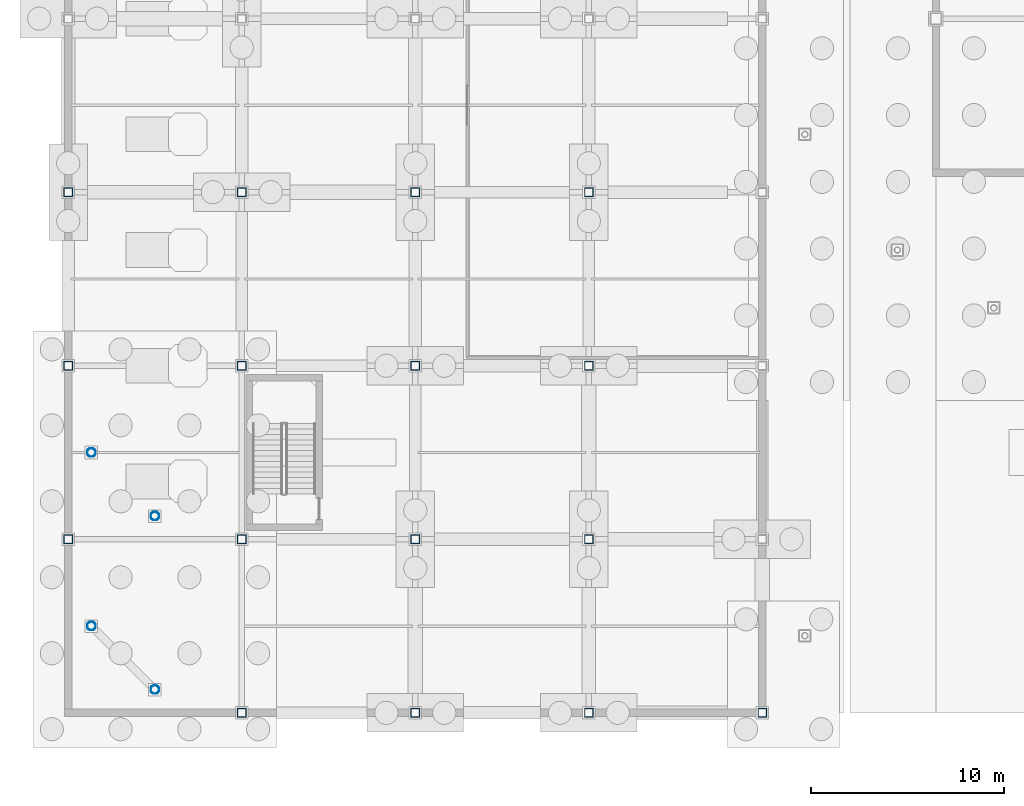
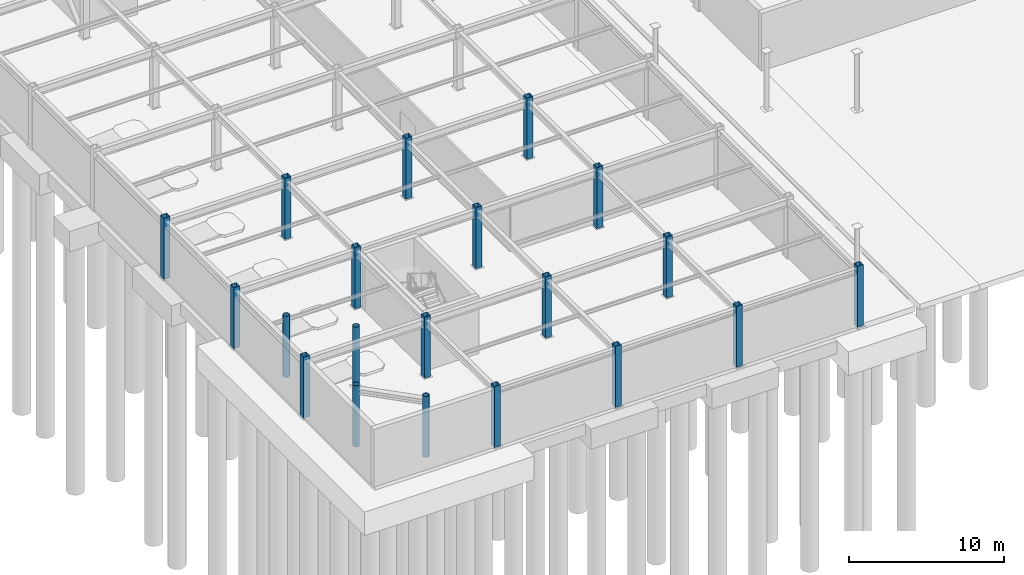
# One storey, part 12 of 74: 20 columns.
"""IFC4 building model written with IfcOpenShell, lengths in metres."""

import ifcopenshell
import ifcopenshell.guid

model = None  # the IFC model being written
_history = None  # IfcOwnerHistory: only IFC2X3 demands one
_inside = {}  # id of a spatial element -> (the spatial element, [elements in it])
_under = {}  # id of a project, library or spatial element -> (it, [spatial elements below it])
_declared = {}  # id of a project -> (the project, [libraries it declares])
_typed = {}  # id of a type object -> (the type object, [elements of that type])
_made_of = {}  # id of a material, layer set ... -> (it, [elements and type objects made of it])


def new_model(schema):
    """Start an empty IFC model of exactly this schema.

    Asked for "IFC4X3", IfcOpenShell would pick the latest addendum, in which some entities
    have other attributes; the version numbers below select the first issue.
    IFC2X3 requires an IfcOwnerHistory on every rooted entity: one is made here for all.
    """
    global model, _history
    if schema == "IFC4X3":
        model = ifcopenshell.file(schema_version=(4, 3, 0, 0))
    else:
        model = ifcopenshell.file(schema=schema)
    _inside.clear()
    _under.clear()
    _declared.clear()
    _typed.clear()
    _made_of.clear()
    _history = None
    if model.schema == "IFC2X3":
        org = make("IfcOrganization", Name="unknown")
        user = make(
            "IfcPersonAndOrganization",
            ThePerson=make("IfcPerson", FamilyName="unknown"),
            TheOrganization=org,
        )
        app = make(
            "IfcApplication",
            ApplicationDeveloper=org,
            Version="unknown",
            ApplicationFullName="unknown",
            ApplicationIdentifier="unknown",
        )
        _history = make(
            "IfcOwnerHistory",
            OwningUser=user,
            OwningApplication=app,
            ChangeAction="ADDED",
            CreationDate=0,
        )
    return model


def make(cls, **values):
    """One entity of the class cls with the attributes given. An attribute that is None is left unset."""
    return model.create_entity(
        cls, **{name: value for name, value in values.items() if value is not None}
    )


def rooted(cls, **values):
    """An entity with a GlobalId (a new one), such as an element, a storey or a relation."""
    return make(cls, GlobalId=ifcopenshell.guid.new(), OwnerHistory=_history, **values)


def si_unit(unit_type, name, prefix=None):
    """IfcSIUnit, for example si_unit("LENGTHUNIT", "METRE", prefix="MILLI")."""
    return make("IfcSIUnit", UnitType=unit_type, Prefix=prefix, Name=name)


def assignment(units):
    """IfcUnitAssignment: the units of a project."""
    return None if units is None else make("IfcUnitAssignment", Units=units)


def point(xyz):
    """IfcCartesianPoint."""
    return None if xyz is None else make("IfcCartesianPoint", Coordinates=xyz)


def direction(xyz):
    """IfcDirection."""
    return None if xyz is None else make("IfcDirection", DirectionRatios=xyz)


def frame(location, z_axis=None, x_axis=None):
    """IfcAxis2Placement3D, a coordinate frame: its origin and axes. An axis left out is left unset."""
    return make(
        "IfcAxis2Placement3D",
        Location=point(location),
        Axis=direction(z_axis),
        RefDirection=direction(x_axis),
    )


def frame_2d(location, x_axis=None):
    """IfcAxis2Placement2D, a coordinate frame in the plane: its origin and x axis."""
    return make(
        "IfcAxis2Placement2D", Location=point(location), RefDirection=direction(x_axis)
    )


def origin():
    """The frame at (0, 0, 0) with its axes left unset."""
    return frame((0.0, 0.0, 0.0))


def origin_2d():
    """The frame at (0, 0) in the plane with its x axis left unset."""
    return frame_2d((0.0, 0.0))


def place(relative_to, where):
    """IfcLocalPlacement: puts the frame where relative to a parent placement (None: the world)."""
    return make(
        "IfcLocalPlacement", PlacementRelTo=relative_to, RelativePlacement=where
    )


def context(
    kind, dimensions, precision=None, world=None, true_north=None, identifier=None
):
    """IfcGeometricRepresentationContext, for example the 3D "Model" context."""
    return make(
        "IfcGeometricRepresentationContext",
        ContextIdentifier=identifier,
        ContextType=kind,
        CoordinateSpaceDimension=dimensions,
        Precision=precision,
        WorldCoordinateSystem=world,
        TrueNorth=true_north,
    )


def subcontext(parent, identifier, kind, view, scale=None):
    """IfcGeometricRepresentationSubContext, for example "Body" below "Model"."""
    return make(
        "IfcGeometricRepresentationSubContext",
        ContextIdentifier=identifier,
        ContextType=kind,
        ParentContext=parent,
        TargetScale=scale,
        TargetView=view,
    )


def project(units=None, contexts=None):
    """IfcProject with its units and contexts."""
    return rooted(
        "IfcProject",
        Name="project",
        RepresentationContexts=contexts,
        UnitsInContext=assignment(units),
    )


def spatial(cls, under=None, at=None, **own):
    """A site, building, storey or space (cls), placed at a placement, below another one or the project."""
    s = rooted(cls, ObjectPlacement=at, **own)
    if under is not None:
        _under.setdefault(under.id(), (under, []))[1].append(s)
    return s


def profile(cls, at=None, kind="AREA", **sizes):
    """A parametric profile (cls). Its sizes go by their IFC names, for example OverallWidth=200.0."""
    return make(cls, ProfileType=kind, Position=at, **sizes)


def hollow_rectangle(**sizes):
    """IfcRectangleHollowProfileDef."""
    return profile("IfcRectangleHollowProfileDef", **sizes)


def hollow_circle(**sizes):
    """IfcCircleHollowProfileDef."""
    return profile("IfcCircleHollowProfileDef", **sizes)


def extrude(swept, where, along, depth):
    """IfcExtrudedAreaSolid: the profile swept, set in the frame where, extruded along a direction by depth."""
    return make(
        "IfcExtrudedAreaSolid",
        SweptArea=swept,
        Position=where,
        ExtrudedDirection=direction(along),
        Depth=depth,
    )


def shape(context_of_items, identifier, shape_type, items):
    """IfcShapeRepresentation: the items that make up one representation, for example the "Body"."""
    return make(
        "IfcShapeRepresentation",
        ContextOfItems=context_of_items,
        RepresentationIdentifier=identifier,
        RepresentationType=shape_type,
        Items=items,
    )


def material(Name=None, Category=None):
    """IfcMaterial."""
    return make("IfcMaterial", Name=Name, Category=Category)


def material_profile(
    of_material, cross_section, Name=None, Category=None, Priority=None
):
    """IfcMaterialProfile: a cross section and its material."""
    return make(
        "IfcMaterialProfile",
        Name=Name,
        Material=of_material,
        Profile=cross_section,
        Priority=Priority,
        Category=Category,
    )


def profile_set(profiles, Name=None, composite=None):
    """IfcMaterialProfileSet."""
    return make(
        "IfcMaterialProfileSet",
        Name=Name,
        MaterialProfiles=profiles,
        CompositeProfile=composite,
    )


def made_of(thing, what):
    """Note that an element or type object is made of a material, layer set ...; save() writes the relation."""
    if what is not None:
        _made_of.setdefault(what.id(), (what, []))[1].append(thing)
    return thing


def type_object(cls, material=None, **own):
    """A type object (cls), such as IfcWallType, which elements share."""
    return made_of(rooted(cls, **own), material)


def element(
    cls,
    number,
    at=None,
    inside=None,
    cuts=None,
    type_object=None,
    material=None,
    context=None,
    identifier="Body",
    shape_type=None,
    held_by="IfcProductDefinitionShape",
    body=None,
    shapes=None,
    **own,
):
    """One element of the class cls, such as IfcWall. Its Tag is "e" and its number.

    at: its placement. inside: the storey or other place that contains it. cuts: it is an
    opening in that element (IfcRelVoidsElement). A single representation is given by context,
    identifier, shape_type and body (its items); several are given by shapes. held_by: the class
    of the entity that holds the representations. save() writes the other relations.
    """
    e = rooted(cls, Tag="e%d" % number, ObjectPlacement=at, **own)
    if body is not None:
        shapes = [shape(context, identifier, shape_type, body)]
    if shapes is not None:
        e.Representation = make(held_by, Representations=shapes)
    if inside is not None:
        _inside.setdefault(inside.id(), (inside, []))[1].append(e)
    if cuts is not None:
        rooted(
            "IfcRelVoidsElement", RelatingBuildingElement=cuts, RelatedOpeningElement=e
        )
    if type_object is not None:
        _typed.setdefault(type_object.id(), (type_object, []))[1].append(e)
    return made_of(e, material)


def aggregate(whole, parts):
    """IfcRelAggregates: a whole, such as a stair, and the parts it consists of."""
    return rooted("IfcRelAggregates", RelatingObject=whole, RelatedObjects=parts)


def save(model, path):
    """Write the relations noted so far, then the file.

    IfcRelAggregates (storeys below a building ...), IfcRelContainedInSpatialStructure (elements
    in a storey), IfcRelDefinesByType, IfcRelAssociatesMaterial and IfcRelDeclares: one each for
    every whole, place, type object, material and project.
    """
    for whole, parts in _under.values():
        aggregate(whole, parts)
    for where, things in _inside.values():
        rooted(
            "IfcRelContainedInSpatialStructure",
            RelatedElements=things,
            RelatingStructure=where,
        )
    for kind, things in _typed.values():
        rooted("IfcRelDefinesByType", RelatedObjects=things, RelatingType=kind)
    for what, things in _made_of.values():
        rooted("IfcRelAssociatesMaterial", RelatedObjects=things, RelatingMaterial=what)
    for by, libraries in _declared.values():
        rooted("IfcRelDeclares", RelatingContext=by, RelatedDefinitions=libraries)
    model.write(path)


model = new_model("IFC4")

# Units and contexts
model_context = context("Model", 3, precision=1e-05, world=origin(), true_north=direction((0.0, 1.0)))
body_context = subcontext(model_context, "Body", "Model", "MODEL_VIEW")
ifc_project = project(units=[si_unit("LENGTHUNIT", "METRE"), si_unit("AREAUNIT", "SQUARE_METRE"), si_unit("VOLUMEUNIT", "CUBIC_METRE"), si_unit("PLANEANGLEUNIT", "RADIAN"), si_unit("MASSUNIT", "GRAM", prefix="KILO")], contexts=[model_context])

# Site, building, storey
site_placement = place(None, origin())
site = spatial("IfcSite", under=ifc_project, at=site_placement, CompositionType="ELEMENT")
building_placement = place(site_placement, origin())
building = spatial("IfcBuilding", under=site, at=building_placement, Name="Suzunagisa Mobility Hub", CompositionType="ELEMENT")
storey_placement = place(building_placement, frame((0.0, 0.0, -4.800048828125)))
storey = spatial("IfcBuildingStorey", under=building, at=storey_placement, Name="B1", CompositionType="ELEMENT", Elevation=-4.800048828125)

# Columns
ifc_material = material(Name="Steel SN490B", Category="steel")
ifc_material_profile_1 = material_profile(ifc_material, hollow_circle(Radius=0.228515625, WallThickness=0.01611328125, at=origin_2d()), Name="CHS-457.2x16.0")
ifc_profile_set_1 = profile_set([ifc_material_profile_1], Name="Steel SN490B")
column_type_1 = type_object("IfcColumnType", Name="Steel Column CL-08 CHS-457.2x16.0", PredefinedType="COLUMN", material=ifc_profile_set_1)
for number, where, z_axis, x_axis, name in (
    (1, (1.205810546875, 4.5, 0.0), (0.0, 0.0, 1.0), (1.0, 0.0, 0.0), "B1 Column 11"),
    (2, (1.205810546875, 13.5, 0.0), (0.0, 0.0, 1.0), (1.0, 0.0, 0.0), "B1 Column 12"),
    (3, (4.5, 1.205810546875, 0.0), (0.0, 0.0, 1.0), (1.0, 0.0, 0.0), "B1 Column 16"),
    (4, (4.5, 10.205810546875, 0.0), (0.0, 0.0, 1.0), (1.0, 0.0, 0.0), "B1 Column 17"),
):
    element("IfcColumn", number, at=place(storey_placement, frame(where, z_axis=z_axis, x_axis=x_axis)), inside=storey, type_object=column_type_1, Name=name, PredefinedType="COLUMN", context=body_context, shape_type="SweptSolid", body=[
        extrude(hollow_circle(Radius=0.228515625, WallThickness=0.01611328125, at=origin_2d()), origin(), (0.0, 0.0, 1.0), 4.800048828125),
    ])
ifc_material_profile_2 = material_profile(ifc_material, hollow_rectangle(XDim=0.449951171875, YDim=0.449951171875, WallThickness=0.02197265625, at=origin_2d()), Name="BCR-450x450x22")
ifc_profile_set_2 = profile_set([ifc_material_profile_2], Name="Steel SN490B")
column_type_2 = type_object("IfcColumnType", Name="Steel Column CL-17 BCR-450x450x22", PredefinedType="COLUMN", material=ifc_profile_set_2)
for number, where, z_axis, x_axis, name in (
    (5, (0.0, 9.0, 0.0), (0.0, 0.0, 1.0), (1.0, 0.0, 0.0), "B1 Column 1"),
    (6, (0.0, 18.0, 0.0), (0.0, 0.0, 1.0), (1.0, 0.0, 0.0), "B1 Column 2"),
    (7, (0.0, 27.0, 0.0), (0.0, 0.0, 1.0), (1.0, 0.0, 0.0), "B1 Column 3"),
    (8, (9.0, 0.0, 0.0), (0.0, 0.0, 1.0), (1.0, 0.0, 0.0), "B1 Column 20"),
    (9, (9.0, 9.0, 0.0), (0.0, 0.0, 1.0), (1.0, 0.0, 0.0), "B1 Column 21"),
    (10, (9.0, 18.0, 0.0), (0.0, 0.0, 1.0), (1.0, 0.0, 0.0), "B1 Column 22"),
    (11, (9.0, 27.0, 0.0), (0.0, 0.0, 1.0), (1.0, 0.0, 0.0), "B1 Column 23"),
    (12, (18.0, 0.0, 0.0), (0.0, 0.0, 1.0), (1.0, 0.0, 0.0), "B1 Column 41"),
    (13, (18.0, 9.0, 0.0), (0.0, 0.0, 1.0), (1.0, 0.0, 0.0), "B1 Column 42"),
    (14, (18.0, 18.0, 0.0), (0.0, 0.0, 1.0), (1.0, 0.0, 0.0), "B1 Column 43"),
    (15, (18.0, 27.0, 0.0), (0.0, 0.0, 1.0), (1.0, 0.0, 0.0), "B1 Column 44"),
    (16, (27.0, 0.0, 0.0), (0.0, 0.0, 1.0), (1.0, 0.0, 0.0), "B1 Column 62"),
    (17, (27.0, 9.0, 0.0), (0.0, 0.0, 1.0), (1.0, 0.0, 0.0), "B1 Column 63"),
    (18, (27.0, 18.0, 0.0), (0.0, 0.0, 1.0), (1.0, 0.0, 0.0), "B1 Column 64"),
    (19, (27.0, 27.0, 0.0), (0.0, 0.0, 1.0), (1.0, 0.0, 0.0), "B1 Column 65"),
    (20, (36.0, 0.0, 0.0), (0.0, 0.0, 1.0), (1.0, 0.0, 0.0), "B1 Column 77"),
):
    element("IfcColumn", number, at=place(storey_placement, frame(where, z_axis=z_axis, x_axis=x_axis)), inside=storey, type_object=column_type_2, Name=name, PredefinedType="COLUMN", context=body_context, shape_type="SweptSolid", body=[
        extrude(hollow_rectangle(XDim=0.449951171875, YDim=0.449951171875, WallThickness=0.02197265625, at=origin_2d()), origin(), (0.0, 0.0, 1.0), 4.800048828125),
    ])

save(model, "model.ifc")
